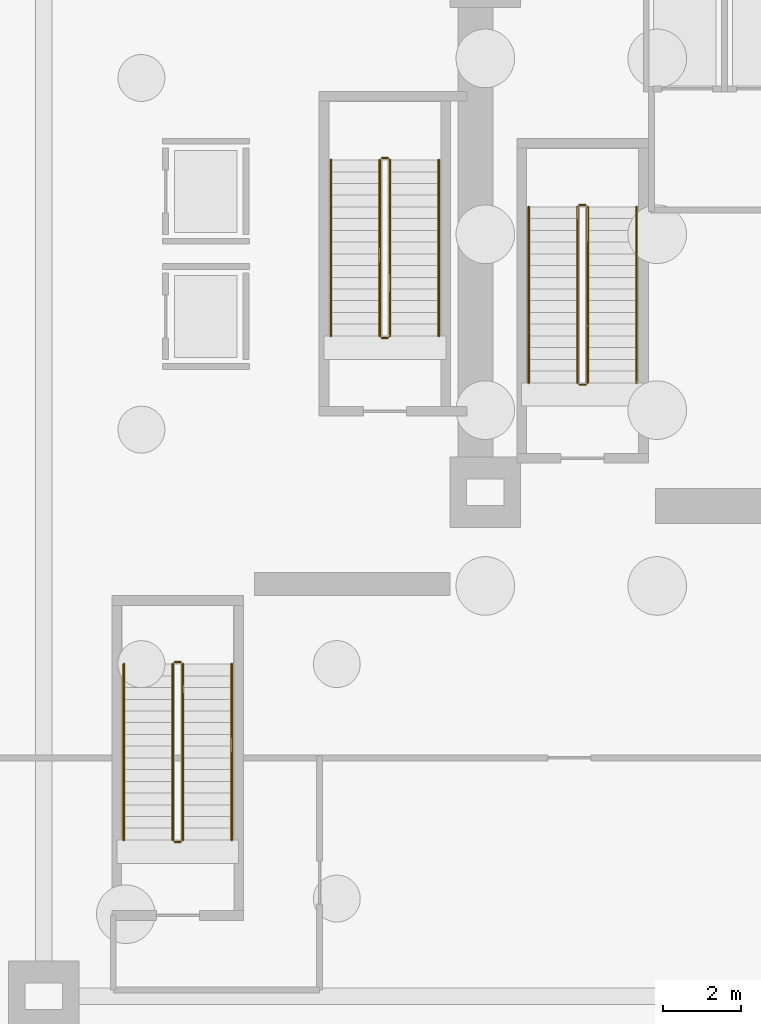
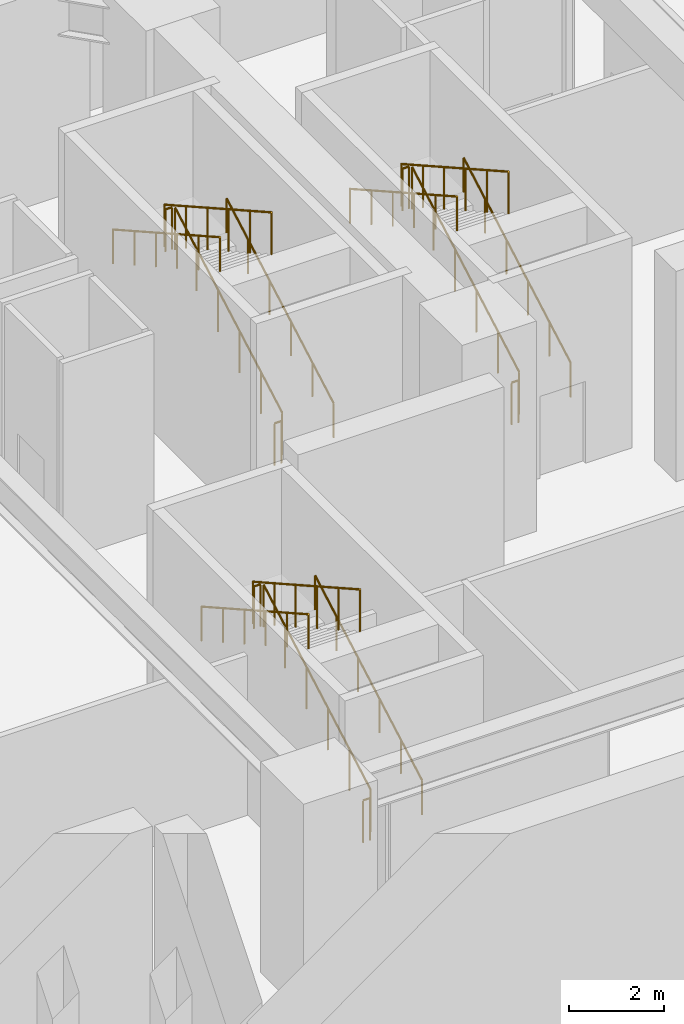
# One storey, part 7 of 9: 18 railings.
"""IFC4 building model written with IfcOpenShell, lengths in metres."""

import ifcopenshell
import ifcopenshell.guid

model = None  # the IFC model being written
_history = None  # IfcOwnerHistory: only IFC2X3 demands one
_inside = {}  # id of a spatial element -> (the spatial element, [elements in it])
_under = {}  # id of a project, library or spatial element -> (it, [spatial elements below it])
_declared = {}  # id of a project -> (the project, [libraries it declares])
_typed = {}  # id of a type object -> (the type object, [elements of that type])
_made_of = {}  # id of a material, layer set ... -> (it, [elements and type objects made of it])


def new_model(schema):
    """Start an empty IFC model of exactly this schema.

    Asked for "IFC4X3", IfcOpenShell would pick the latest addendum, in which some entities
    have other attributes; the version numbers below select the first issue.
    IFC2X3 requires an IfcOwnerHistory on every rooted entity: one is made here for all.
    """
    global model, _history
    if schema == "IFC4X3":
        model = ifcopenshell.file(schema_version=(4, 3, 0, 0))
    else:
        model = ifcopenshell.file(schema=schema)
    _inside.clear()
    _under.clear()
    _declared.clear()
    _typed.clear()
    _made_of.clear()
    _history = None
    if model.schema == "IFC2X3":
        org = make("IfcOrganization", Name="unknown")
        user = make(
            "IfcPersonAndOrganization",
            ThePerson=make("IfcPerson", FamilyName="unknown"),
            TheOrganization=org,
        )
        app = make(
            "IfcApplication",
            ApplicationDeveloper=org,
            Version="unknown",
            ApplicationFullName="unknown",
            ApplicationIdentifier="unknown",
        )
        _history = make(
            "IfcOwnerHistory",
            OwningUser=user,
            OwningApplication=app,
            ChangeAction="ADDED",
            CreationDate=0,
        )
    return model


def make(cls, **values):
    """One entity of the class cls with the attributes given. An attribute that is None is left unset."""
    return model.create_entity(
        cls, **{name: value for name, value in values.items() if value is not None}
    )


def rooted(cls, **values):
    """An entity with a GlobalId (a new one), such as an element, a storey or a relation."""
    return make(cls, GlobalId=ifcopenshell.guid.new(), OwnerHistory=_history, **values)


def si_unit(unit_type, name, prefix=None):
    """IfcSIUnit, for example si_unit("LENGTHUNIT", "METRE", prefix="MILLI")."""
    return make("IfcSIUnit", UnitType=unit_type, Prefix=prefix, Name=name)


def assignment(units):
    """IfcUnitAssignment: the units of a project."""
    return None if units is None else make("IfcUnitAssignment", Units=units)


def point(xyz):
    """IfcCartesianPoint."""
    return None if xyz is None else make("IfcCartesianPoint", Coordinates=xyz)


def direction(xyz):
    """IfcDirection."""
    return None if xyz is None else make("IfcDirection", DirectionRatios=xyz)


def frame(location, z_axis=None, x_axis=None):
    """IfcAxis2Placement3D, a coordinate frame: its origin and axes. An axis left out is left unset."""
    return make(
        "IfcAxis2Placement3D",
        Location=point(location),
        Axis=direction(z_axis),
        RefDirection=direction(x_axis),
    )


def frame_2d(location, x_axis=None):
    """IfcAxis2Placement2D, a coordinate frame in the plane: its origin and x axis."""
    return make(
        "IfcAxis2Placement2D", Location=point(location), RefDirection=direction(x_axis)
    )


def origin():
    """The frame at (0, 0, 0) with its axes left unset."""
    return frame((0.0, 0.0, 0.0))


def origin_2d():
    """The frame at (0, 0) in the plane with its x axis left unset."""
    return frame_2d((0.0, 0.0))


def place(relative_to, where):
    """IfcLocalPlacement: puts the frame where relative to a parent placement (None: the world)."""
    return make(
        "IfcLocalPlacement", PlacementRelTo=relative_to, RelativePlacement=where
    )


def context(
    kind, dimensions, precision=None, world=None, true_north=None, identifier=None
):
    """IfcGeometricRepresentationContext, for example the 3D "Model" context."""
    return make(
        "IfcGeometricRepresentationContext",
        ContextIdentifier=identifier,
        ContextType=kind,
        CoordinateSpaceDimension=dimensions,
        Precision=precision,
        WorldCoordinateSystem=world,
        TrueNorth=true_north,
    )


def subcontext(parent, identifier, kind, view, scale=None):
    """IfcGeometricRepresentationSubContext, for example "Body" below "Model"."""
    return make(
        "IfcGeometricRepresentationSubContext",
        ContextIdentifier=identifier,
        ContextType=kind,
        ParentContext=parent,
        TargetScale=scale,
        TargetView=view,
    )


def project(units=None, contexts=None):
    """IfcProject with its units and contexts."""
    return rooted(
        "IfcProject",
        Name="project",
        RepresentationContexts=contexts,
        UnitsInContext=assignment(units),
    )


def spatial(cls, under=None, at=None, **own):
    """A site, building, storey or space (cls), placed at a placement, below another one or the project."""
    s = rooted(cls, ObjectPlacement=at, **own)
    if under is not None:
        _under.setdefault(under.id(), (under, []))[1].append(s)
    return s


def profile(cls, at=None, kind="AREA", **sizes):
    """A parametric profile (cls). Its sizes go by their IFC names, for example OverallWidth=200.0."""
    return make(cls, ProfileType=kind, Position=at, **sizes)


def circle(**sizes):
    """IfcCircleProfileDef."""
    return profile("IfcCircleProfileDef", **sizes)


def extrude(swept, where, along, depth):
    """IfcExtrudedAreaSolid: the profile swept, set in the frame where, extruded along a direction by depth."""
    return make(
        "IfcExtrudedAreaSolid",
        SweptArea=swept,
        Position=where,
        ExtrudedDirection=direction(along),
        Depth=depth,
    )


def shape(context_of_items, identifier, shape_type, items):
    """IfcShapeRepresentation: the items that make up one representation, for example the "Body"."""
    return make(
        "IfcShapeRepresentation",
        ContextOfItems=context_of_items,
        RepresentationIdentifier=identifier,
        RepresentationType=shape_type,
        Items=items,
    )


def material(Name=None, Category=None):
    """IfcMaterial."""
    return make("IfcMaterial", Name=Name, Category=Category)


def made_of(thing, what):
    """Note that an element or type object is made of a material, layer set ...; save() writes the relation."""
    if what is not None:
        _made_of.setdefault(what.id(), (what, []))[1].append(thing)
    return thing


def type_object(cls, material=None, **own):
    """A type object (cls), such as IfcWallType, which elements share."""
    return made_of(rooted(cls, **own), material)


def element(
    cls,
    number,
    at=None,
    inside=None,
    cuts=None,
    type_object=None,
    material=None,
    context=None,
    identifier="Body",
    shape_type=None,
    held_by="IfcProductDefinitionShape",
    body=None,
    shapes=None,
    **own,
):
    """One element of the class cls, such as IfcWall. Its Tag is "e" and its number.

    at: its placement. inside: the storey or other place that contains it. cuts: it is an
    opening in that element (IfcRelVoidsElement). A single representation is given by context,
    identifier, shape_type and body (its items); several are given by shapes. held_by: the class
    of the entity that holds the representations. save() writes the other relations.
    """
    e = rooted(cls, Tag="e%d" % number, ObjectPlacement=at, **own)
    if body is not None:
        shapes = [shape(context, identifier, shape_type, body)]
    if shapes is not None:
        e.Representation = make(held_by, Representations=shapes)
    if inside is not None:
        _inside.setdefault(inside.id(), (inside, []))[1].append(e)
    if cuts is not None:
        rooted(
            "IfcRelVoidsElement", RelatingBuildingElement=cuts, RelatedOpeningElement=e
        )
    if type_object is not None:
        _typed.setdefault(type_object.id(), (type_object, []))[1].append(e)
    return made_of(e, material)


def aggregate(whole, parts):
    """IfcRelAggregates: a whole, such as a stair, and the parts it consists of."""
    return rooted("IfcRelAggregates", RelatingObject=whole, RelatedObjects=parts)


def save(model, path):
    """Write the relations noted so far, then the file.

    IfcRelAggregates (storeys below a building ...), IfcRelContainedInSpatialStructure (elements
    in a storey), IfcRelDefinesByType, IfcRelAssociatesMaterial and IfcRelDeclares: one each for
    every whole, place, type object, material and project.
    """
    for whole, parts in _under.values():
        aggregate(whole, parts)
    for where, things in _inside.values():
        rooted(
            "IfcRelContainedInSpatialStructure",
            RelatedElements=things,
            RelatingStructure=where,
        )
    for kind, things in _typed.values():
        rooted("IfcRelDefinesByType", RelatedObjects=things, RelatingType=kind)
    for what, things in _made_of.values():
        rooted("IfcRelAssociatesMaterial", RelatedObjects=things, RelatingMaterial=what)
    for by, libraries in _declared.values():
        rooted("IfcRelDeclares", RelatingContext=by, RelatedDefinitions=libraries)
    model.write(path)


model = new_model("IFC4")

# Units and contexts
model_context = context("Model", 3, precision=1e-05, world=origin(), true_north=direction((0.0, 1.0)))
body_context = subcontext(model_context, "Body", "Model", "MODEL_VIEW")
ifc_project = project(units=[si_unit("LENGTHUNIT", "METRE"), si_unit("AREAUNIT", "SQUARE_METRE"), si_unit("VOLUMEUNIT", "CUBIC_METRE"), si_unit("PLANEANGLEUNIT", "RADIAN"), si_unit("MASSUNIT", "GRAM", prefix="KILO")], contexts=[model_context])

# Site, building, storey
site_placement = place(None, origin())
site = spatial("IfcSite", under=ifc_project, at=site_placement, CompositionType="ELEMENT")
building_placement = place(site_placement, origin())
building = spatial("IfcBuilding", under=site, at=building_placement, Name="Solvane Sanctuary Tower", CompositionType="ELEMENT")
storey_placement = place(building_placement, frame((0.0, 0.0, -10.800048828125)))
storey = spatial("IfcBuildingStorey", under=building, at=storey_placement, Name="B02", CompositionType="ELEMENT", Elevation=-10.800048828125)

# Railings
ifc_material = material(Name="Architectural Stainless Steel 316", Category="steel")
railing_type_1 = type_object("IfcRailingType", Name="Railing GR-BALC-1150", PredefinedType="BALUSTRADE", material=ifc_material)
railing_1_placement = place(storey_placement, frame((17.919921875, 19.699951171875, 0.168701171875)))
element("IfcRailing", 1, at=railing_1_placement, inside=storey, type_object=railing_type_1, Name="B02 ST-1 stair guard 1", PredefinedType="BALUSTRADE", context=body_context, shape_type="SweptSolid", body=[
    extrude(circle(Radius=0.02392578125, at=origin_2d()), frame((0.0, 0.0, 1.076171875), z_axis=(0.0, 0.871575537125, 0.490261239633), x_axis=(-1.0, 0.0, 0.0)), (0.0, 0.0, 1.0), 5.1630859375),
    extrude(circle(Radius=0.02099609375, at=origin_2d()), origin(), (0.0, 0.0, 1.0), 1.052001953125),
    extrude(circle(Radius=0.02099609375, at=origin_2d()), frame((0.0, 0.89990234375, 0.50634765625)), (0.0, 0.0, 1.0), 1.052001953125),
    extrude(circle(Radius=0.02099609375, at=origin_2d()), frame((0.0, 1.800048828125, 1.012451171875)), (0.0, 0.0, 1.0), 1.052001953125),
    extrude(circle(Radius=0.02099609375, at=origin_2d()), frame((0.0, 2.699951171875, 1.518798828125)), (0.0, 0.0, 1.0), 1.052001953125),
    extrude(circle(Radius=0.02099609375, at=origin_2d()), frame((0.0, 3.60009765625, 2.02490234375)), (0.0, 0.0, 1.0), 1.052001953125),
    extrude(circle(Radius=0.02099609375, at=origin_2d()), frame((0.0, 4.5, 2.53125)), (0.0, 0.0, 1.0), 1.052001953125),
])
railing_2_placement = place(storey_placement, frame((17.8701171875, 24.25, 2.699951171875)))
element("IfcRailing", 2, at=railing_2_placement, inside=storey, type_object=railing_type_1, Name="B02 ST-1 stair guard 2", PredefinedType="BALUSTRADE", context=body_context, shape_type="SweptSolid", body=[
    extrude(circle(Radius=0.02392578125, at=origin_2d()), frame((0.0, 0.0, 1.076171875), z_axis=(-1.0, 0.0, 0.0), x_axis=(0.0, -1.0, 0.0)), (0.0, 0.0, 1.0), 0.16015625),
    extrude(circle(Radius=0.02099609375, at=origin_2d()), origin(), (0.0, 0.0, 1.0), 1.052001953125),
    extrude(circle(Radius=0.02099609375, at=origin_2d()), frame((-0.16015625, 0.0, 0.0)), (0.0, 0.0, 1.0), 1.052001953125),
])
railing_3_placement = place(storey_placement, frame((17.659912109375, 24.199951171875, 2.868896484375)))
element("IfcRailing", 3, at=railing_3_placement, inside=storey, type_object=railing_type_1, Name="B02 ST-1 stair guard 3", PredefinedType="BALUSTRADE", context=body_context, shape_type="SweptSolid", body=[
    extrude(circle(Radius=0.02392578125, at=origin_2d()), frame((0.0, 0.0, 1.076171875), z_axis=(0.0, -0.871575537125, 0.490261239633), x_axis=(1.0, 0.0, 0.0)), (0.0, 0.0, 1.0), 5.1630859375),
    extrude(circle(Radius=0.02099609375, at=origin_2d()), origin(), (0.0, 0.0, 1.0), 1.052001953125),
    extrude(circle(Radius=0.02099609375, at=origin_2d()), frame((0.0, -0.89990234375, 0.50634765625)), (0.0, 0.0, 1.0), 1.052001953125),
    extrude(circle(Radius=0.02099609375, at=origin_2d()), frame((0.0, -1.800048828125, 1.012451171875)), (0.0, 0.0, 1.0), 1.052001953125),
    extrude(circle(Radius=0.02099609375, at=origin_2d()), frame((0.0, -2.699951171875, 1.518798828125)), (0.0, 0.0, 1.0), 1.052001953125),
    extrude(circle(Radius=0.02099609375, at=origin_2d()), frame((0.0, -3.60009765625, 2.02490234375)), (0.0, 0.0, 1.0), 1.052001953125),
    extrude(circle(Radius=0.02099609375, at=origin_2d()), frame((0.0, -4.5, 2.53125)), (0.0, 0.0, 1.0), 1.052001953125),
])
railing_4_placement = place(storey_placement, frame((17.8701171875, 19.64990234375, 0.0)))
element("IfcRailing", 4, at=railing_4_placement, inside=storey, type_object=railing_type_1, Name="B02 ST-1 stair guard 4", PredefinedType="BALUSTRADE", context=body_context, shape_type="SweptSolid", body=[
    extrude(circle(Radius=0.02392578125, at=origin_2d()), frame((0.0, 0.0, 1.076171875), z_axis=(-1.0, 0.0, 0.0), x_axis=(0.0, -1.0, 0.0)), (0.0, 0.0, 1.0), 0.16015625),
    extrude(circle(Radius=0.02099609375, at=origin_2d()), origin(), (0.0, 0.0, 1.0), 1.052001953125),
    extrude(circle(Radius=0.02099609375, at=origin_2d()), frame((-0.16015625, 0.0, 0.0)), (0.0, 0.0, 1.0), 1.052001953125),
])
railing_5_placement = place(storey_placement, frame((12.860107421875, 20.89990234375, 0.168701171875)))
element("IfcRailing", 5, at=railing_5_placement, inside=storey, type_object=railing_type_1, Name="B02 ST-3 stair guard 1", PredefinedType="BALUSTRADE", context=body_context, shape_type="SweptSolid", body=[
    extrude(circle(Radius=0.02392578125, at=origin_2d()), frame((0.0, 0.0, 1.076171875), z_axis=(0.0, 0.871575537125, 0.490261239633), x_axis=(-1.0, 0.0, 0.0)), (0.0, 0.0, 1.0), 5.1630859375),
    extrude(circle(Radius=0.02099609375, at=origin_2d()), origin(), (0.0, 0.0, 1.0), 1.052001953125),
    extrude(circle(Radius=0.02099609375, at=origin_2d()), frame((0.0, 0.89990234375, 0.50634765625)), (0.0, 0.0, 1.0), 1.052001953125),
    extrude(circle(Radius=0.02099609375, at=origin_2d()), frame((0.0, 1.800048828125, 1.012451171875)), (0.0, 0.0, 1.0), 1.052001953125),
    extrude(circle(Radius=0.02099609375, at=origin_2d()), frame((0.0, 2.699951171875, 1.518798828125)), (0.0, 0.0, 1.0), 1.052001953125),
    extrude(circle(Radius=0.02099609375, at=origin_2d()), frame((0.0, 3.60009765625, 2.02490234375)), (0.0, 0.0, 1.0), 1.052001953125),
    extrude(circle(Radius=0.02099609375, at=origin_2d()), frame((0.0, 4.5, 2.53125)), (0.0, 0.0, 1.0), 1.052001953125),
])
railing_6_placement = place(storey_placement, frame((12.81005859375, 25.449951171875, 2.699951171875)))
element("IfcRailing", 6, at=railing_6_placement, inside=storey, type_object=railing_type_1, Name="B02 ST-3 stair guard 2", PredefinedType="BALUSTRADE", context=body_context, shape_type="SweptSolid", body=[
    extrude(circle(Radius=0.02392578125, at=origin_2d()), frame((0.0, 0.0, 1.076171875), z_axis=(-1.0, 0.0, 0.0), x_axis=(0.0, -1.0, 0.0)), (0.0, 0.0, 1.0), 0.16015625),
    extrude(circle(Radius=0.02099609375, at=origin_2d()), origin(), (0.0, 0.0, 1.0), 1.052001953125),
    extrude(circle(Radius=0.02099609375, at=origin_2d()), frame((-0.16015625, 0.0, 0.0)), (0.0, 0.0, 1.0), 1.052001953125),
])
railing_7_placement = place(storey_placement, frame((12.60009765625, 25.39990234375, 2.868896484375)))
element("IfcRailing", 7, at=railing_7_placement, inside=storey, type_object=railing_type_1, Name="B02 ST-3 stair guard 3", PredefinedType="BALUSTRADE", context=body_context, shape_type="SweptSolid", body=[
    extrude(circle(Radius=0.02392578125, at=origin_2d()), frame((0.0, 0.0, 1.076171875), z_axis=(0.0, -0.871575537125, 0.490261239633), x_axis=(1.0, 0.0, 0.0)), (0.0, 0.0, 1.0), 5.1630859375),
    extrude(circle(Radius=0.02099609375, at=origin_2d()), origin(), (0.0, 0.0, 1.0), 1.052001953125),
    extrude(circle(Radius=0.02099609375, at=origin_2d()), frame((0.0, -0.89990234375, 0.50634765625)), (0.0, 0.0, 1.0), 1.052001953125),
    extrude(circle(Radius=0.02099609375, at=origin_2d()), frame((0.0, -1.800048828125, 1.012451171875)), (0.0, 0.0, 1.0), 1.052001953125),
    extrude(circle(Radius=0.02099609375, at=origin_2d()), frame((0.0, -2.699951171875, 1.518798828125)), (0.0, 0.0, 1.0), 1.052001953125),
    extrude(circle(Radius=0.02099609375, at=origin_2d()), frame((0.0, -3.60009765625, 2.02490234375)), (0.0, 0.0, 1.0), 1.052001953125),
    extrude(circle(Radius=0.02099609375, at=origin_2d()), frame((0.0, -4.5, 2.53125)), (0.0, 0.0, 1.0), 1.052001953125),
])
railing_8_placement = place(storey_placement, frame((12.81005859375, 20.85009765625, 0.0)))
element("IfcRailing", 8, at=railing_8_placement, inside=storey, type_object=railing_type_1, Name="B02 ST-3 stair guard 4", PredefinedType="BALUSTRADE", context=body_context, shape_type="SweptSolid", body=[
    extrude(circle(Radius=0.02392578125, at=origin_2d()), frame((0.0, 0.0, 1.076171875), z_axis=(-1.0, 0.0, 0.0), x_axis=(0.0, -1.0, 0.0)), (0.0, 0.0, 1.0), 0.16015625),
    extrude(circle(Radius=0.02099609375, at=origin_2d()), origin(), (0.0, 0.0, 1.0), 1.052001953125),
    extrude(circle(Radius=0.02099609375, at=origin_2d()), frame((-0.16015625, 0.0, 0.0)), (0.0, 0.0, 1.0), 1.052001953125),
])
railing_9_placement = place(storey_placement, frame((7.56005859375, 8.0, 0.168701171875)))
element("IfcRailing", 9, at=railing_9_placement, inside=storey, type_object=railing_type_1, Name="B02 ST-4 stair guard 1", PredefinedType="BALUSTRADE", context=body_context, shape_type="SweptSolid", body=[
    extrude(circle(Radius=0.02392578125, at=origin_2d()), frame((0.0, 0.0, 1.076171875), z_axis=(0.0, 0.871575537125, 0.490261239633), x_axis=(-1.0, 0.0, 0.0)), (0.0, 0.0, 1.0), 5.1630859375),
    extrude(circle(Radius=0.02099609375, at=origin_2d()), origin(), (0.0, 0.0, 1.0), 1.052001953125),
    extrude(circle(Radius=0.02099609375, at=origin_2d()), frame((0.0, 0.89990234375, 0.50634765625)), (0.0, 0.0, 1.0), 1.052001953125),
    extrude(circle(Radius=0.02099609375, at=origin_2d()), frame((0.0, 1.800048828125, 1.012451171875)), (0.0, 0.0, 1.0), 1.052001953125),
    extrude(circle(Radius=0.02099609375, at=origin_2d()), frame((0.0, 2.699951171875, 1.518798828125)), (0.0, 0.0, 1.0), 1.052001953125),
    extrude(circle(Radius=0.02099609375, at=origin_2d()), frame((0.0, 3.60009765625, 2.02490234375)), (0.0, 0.0, 1.0), 1.052001953125),
    extrude(circle(Radius=0.02099609375, at=origin_2d()), frame((0.0, 4.5, 2.53125)), (0.0, 0.0, 1.0), 1.052001953125),
])
railing_10_placement = place(storey_placement, frame((7.510009765625, 12.550048828125, 2.699951171875)))
element("IfcRailing", 10, at=railing_10_placement, inside=storey, type_object=railing_type_1, Name="B02 ST-4 stair guard 2", PredefinedType="BALUSTRADE", context=body_context, shape_type="SweptSolid", body=[
    extrude(circle(Radius=0.02392578125, at=origin_2d()), frame((0.0, 0.0, 1.076171875), z_axis=(-1.0, 0.0, 0.0), x_axis=(0.0, -1.0, 0.0)), (0.0, 0.0, 1.0), 0.159912109375),
    extrude(circle(Radius=0.02099609375, at=origin_2d()), origin(), (0.0, 0.0, 1.0), 1.052001953125),
    extrude(circle(Radius=0.02099609375, at=origin_2d()), frame((-0.159912109375, 0.0, 0.0)), (0.0, 0.0, 1.0), 1.052001953125),
])
railing_11_placement = place(storey_placement, frame((7.300048828125, 12.5, 2.868896484375)))
element("IfcRailing", 11, at=railing_11_placement, inside=storey, type_object=railing_type_1, Name="B02 ST-4 stair guard 3", PredefinedType="BALUSTRADE", context=body_context, shape_type="SweptSolid", body=[
    extrude(circle(Radius=0.02392578125, at=origin_2d()), frame((0.0, 0.0, 1.076171875), z_axis=(0.0, -0.871575537125, 0.490261239633), x_axis=(1.0, 0.0, 0.0)), (0.0, 0.0, 1.0), 5.1630859375),
    extrude(circle(Radius=0.02099609375, at=origin_2d()), origin(), (0.0, 0.0, 1.0), 1.052001953125),
    extrude(circle(Radius=0.02099609375, at=origin_2d()), frame((0.0, -0.89990234375, 0.50634765625)), (0.0, 0.0, 1.0), 1.052001953125),
    extrude(circle(Radius=0.02099609375, at=origin_2d()), frame((0.0, -1.800048828125, 1.012451171875)), (0.0, 0.0, 1.0), 1.052001953125),
    extrude(circle(Radius=0.02099609375, at=origin_2d()), frame((0.0, -2.699951171875, 1.518798828125)), (0.0, 0.0, 1.0), 1.052001953125),
    extrude(circle(Radius=0.02099609375, at=origin_2d()), frame((0.0, -3.60009765625, 2.02490234375)), (0.0, 0.0, 1.0), 1.052001953125),
    extrude(circle(Radius=0.02099609375, at=origin_2d()), frame((0.0, -4.5, 2.53125)), (0.0, 0.0, 1.0), 1.052001953125),
])
railing_12_placement = place(storey_placement, frame((7.510009765625, 7.949951171875, 0.0)))
element("IfcRailing", 12, at=railing_12_placement, inside=storey, type_object=railing_type_1, Name="B02 ST-4 stair guard 4", PredefinedType="BALUSTRADE", context=body_context, shape_type="SweptSolid", body=[
    extrude(circle(Radius=0.02392578125, at=origin_2d()), frame((0.0, 0.0, 1.076171875), z_axis=(-1.0, 0.0, 0.0), x_axis=(0.0, -1.0, 0.0)), (0.0, 0.0, 1.0), 0.159912109375),
    extrude(circle(Radius=0.02099609375, at=origin_2d()), origin(), (0.0, 0.0, 1.0), 1.052001953125),
    extrude(circle(Radius=0.02099609375, at=origin_2d()), frame((-0.159912109375, 0.0, 0.0)), (0.0, 0.0, 1.0), 1.052001953125),
])
railing_type_2 = type_object("IfcRailingType", Name="Railing HR-STAIR-920", PredefinedType="HANDRAIL", material=ifc_material)
railing_13_placement = place(storey_placement, frame((19.169921875, 19.699951171875, 0.168701171875)))
element("IfcRailing", 13, at=railing_13_placement, inside=storey, type_object=railing_type_2, Name="B02 ST-1 stair handrail 1", PredefinedType="HANDRAIL", context=body_context, shape_type="SweptSolid", body=[
    extrude(circle(Radius=0.02392578125, at=origin_2d()), frame((0.0, 0.0, 0.8759765625), z_axis=(0.0, 0.871575537125, 0.490261239633), x_axis=(-1.0, 0.0, 0.0)), (0.0, 0.0, 1.0), 5.1630859375),
    extrude(circle(Radius=0.02099609375, at=origin_2d()), origin(), (0.0, 0.0, 1.0), 0.851806640625),
    extrude(circle(Radius=0.02099609375, at=origin_2d()), frame((0.0, 0.89990234375, 0.50634765625)), (0.0, 0.0, 1.0), 0.851806640625),
    extrude(circle(Radius=0.02099609375, at=origin_2d()), frame((0.0, 1.800048828125, 1.012451171875)), (0.0, 0.0, 1.0), 0.851806640625),
    extrude(circle(Radius=0.02099609375, at=origin_2d()), frame((0.0, 2.699951171875, 1.518798828125)), (0.0, 0.0, 1.0), 0.851806640625),
    extrude(circle(Radius=0.02099609375, at=origin_2d()), frame((0.0, 3.60009765625, 2.02490234375)), (0.0, 0.0, 1.0), 0.851806640625),
    extrude(circle(Radius=0.02099609375, at=origin_2d()), frame((0.0, 4.5, 2.53125)), (0.0, 0.0, 1.0), 0.851806640625),
])
railing_14_placement = place(storey_placement, frame((16.409912109375, 24.199951171875, 2.868896484375)))
element("IfcRailing", 14, at=railing_14_placement, inside=storey, type_object=railing_type_2, Name="B02 ST-1 stair handrail 2", PredefinedType="HANDRAIL", context=body_context, shape_type="SweptSolid", body=[
    extrude(circle(Radius=0.02392578125, at=origin_2d()), frame((0.0, 0.0, 0.8759765625), z_axis=(0.0, -0.871575537125, 0.490261239633), x_axis=(1.0, 0.0, 0.0)), (0.0, 0.0, 1.0), 5.1630859375),
    extrude(circle(Radius=0.02099609375, at=origin_2d()), origin(), (0.0, 0.0, 1.0), 0.851806640625),
    extrude(circle(Radius=0.02099609375, at=origin_2d()), frame((0.0, -0.89990234375, 0.50634765625)), (0.0, 0.0, 1.0), 0.851806640625),
    extrude(circle(Radius=0.02099609375, at=origin_2d()), frame((0.0, -1.800048828125, 1.012451171875)), (0.0, 0.0, 1.0), 0.851806640625),
    extrude(circle(Radius=0.02099609375, at=origin_2d()), frame((0.0, -2.699951171875, 1.518798828125)), (0.0, 0.0, 1.0), 0.851806640625),
    extrude(circle(Radius=0.02099609375, at=origin_2d()), frame((0.0, -3.60009765625, 2.02490234375)), (0.0, 0.0, 1.0), 0.851806640625),
    extrude(circle(Radius=0.02099609375, at=origin_2d()), frame((0.0, -4.5, 2.53125)), (0.0, 0.0, 1.0), 0.851806640625),
])
railing_15_placement = place(storey_placement, frame((14.110107421875, 20.89990234375, 0.168701171875)))
element("IfcRailing", 15, at=railing_15_placement, inside=storey, type_object=railing_type_2, Name="B02 ST-3 stair handrail 1", PredefinedType="HANDRAIL", context=body_context, shape_type="SweptSolid", body=[
    extrude(circle(Radius=0.02392578125, at=origin_2d()), frame((0.0, 0.0, 0.8759765625), z_axis=(0.0, 0.871575537125, 0.490261239633), x_axis=(-1.0, 0.0, 0.0)), (0.0, 0.0, 1.0), 5.1630859375),
    extrude(circle(Radius=0.02099609375, at=origin_2d()), origin(), (0.0, 0.0, 1.0), 0.851806640625),
    extrude(circle(Radius=0.02099609375, at=origin_2d()), frame((0.0, 0.89990234375, 0.50634765625)), (0.0, 0.0, 1.0), 0.851806640625),
    extrude(circle(Radius=0.02099609375, at=origin_2d()), frame((0.0, 1.800048828125, 1.012451171875)), (0.0, 0.0, 1.0), 0.851806640625),
    extrude(circle(Radius=0.02099609375, at=origin_2d()), frame((0.0, 2.699951171875, 1.518798828125)), (0.0, 0.0, 1.0), 0.851806640625),
    extrude(circle(Radius=0.02099609375, at=origin_2d()), frame((0.0, 3.60009765625, 2.02490234375)), (0.0, 0.0, 1.0), 0.851806640625),
    extrude(circle(Radius=0.02099609375, at=origin_2d()), frame((0.0, 4.5, 2.53125)), (0.0, 0.0, 1.0), 0.851806640625),
])
railing_16_placement = place(storey_placement, frame((11.35009765625, 25.39990234375, 2.868896484375)))
element("IfcRailing", 16, at=railing_16_placement, inside=storey, type_object=railing_type_2, Name="B02 ST-3 stair handrail 2", PredefinedType="HANDRAIL", context=body_context, shape_type="SweptSolid", body=[
    extrude(circle(Radius=0.02392578125, at=origin_2d()), frame((0.0, 0.0, 0.8759765625), z_axis=(0.0, -0.871575537125, 0.490261239633), x_axis=(1.0, 0.0, 0.0)), (0.0, 0.0, 1.0), 5.1630859375),
    extrude(circle(Radius=0.02099609375, at=origin_2d()), origin(), (0.0, 0.0, 1.0), 0.851806640625),
    extrude(circle(Radius=0.02099609375, at=origin_2d()), frame((0.0, -0.89990234375, 0.50634765625)), (0.0, 0.0, 1.0), 0.851806640625),
    extrude(circle(Radius=0.02099609375, at=origin_2d()), frame((0.0, -1.800048828125, 1.012451171875)), (0.0, 0.0, 1.0), 0.851806640625),
    extrude(circle(Radius=0.02099609375, at=origin_2d()), frame((0.0, -2.699951171875, 1.518798828125)), (0.0, 0.0, 1.0), 0.851806640625),
    extrude(circle(Radius=0.02099609375, at=origin_2d()), frame((0.0, -3.60009765625, 2.02490234375)), (0.0, 0.0, 1.0), 0.851806640625),
    extrude(circle(Radius=0.02099609375, at=origin_2d()), frame((0.0, -4.5, 2.53125)), (0.0, 0.0, 1.0), 0.851806640625),
])
railing_17_placement = place(storey_placement, frame((8.81005859375, 8.0, 0.168701171875)))
element("IfcRailing", 17, at=railing_17_placement, inside=storey, type_object=railing_type_2, Name="B02 ST-4 stair handrail 1", PredefinedType="HANDRAIL", context=body_context, shape_type="SweptSolid", body=[
    extrude(circle(Radius=0.02392578125, at=origin_2d()), frame((0.0, 0.0, 0.8759765625), z_axis=(0.0, 0.871575537125, 0.490261239633), x_axis=(-1.0, 0.0, 0.0)), (0.0, 0.0, 1.0), 5.1630859375),
    extrude(circle(Radius=0.02099609375, at=origin_2d()), origin(), (0.0, 0.0, 1.0), 0.851806640625),
    extrude(circle(Radius=0.02099609375, at=origin_2d()), frame((0.0, 0.89990234375, 0.50634765625)), (0.0, 0.0, 1.0), 0.851806640625),
    extrude(circle(Radius=0.02099609375, at=origin_2d()), frame((0.0, 1.800048828125, 1.012451171875)), (0.0, 0.0, 1.0), 0.851806640625),
    extrude(circle(Radius=0.02099609375, at=origin_2d()), frame((0.0, 2.699951171875, 1.518798828125)), (0.0, 0.0, 1.0), 0.851806640625),
    extrude(circle(Radius=0.02099609375, at=origin_2d()), frame((0.0, 3.60009765625, 2.02490234375)), (0.0, 0.0, 1.0), 0.851806640625),
    extrude(circle(Radius=0.02099609375, at=origin_2d()), frame((0.0, 4.5, 2.53125)), (0.0, 0.0, 1.0), 0.851806640625),
])
railing_18_placement = place(storey_placement, frame((6.050048828125, 12.5, 2.868896484375)))
element("IfcRailing", 18, at=railing_18_placement, inside=storey, type_object=railing_type_2, Name="B02 ST-4 stair handrail 2", PredefinedType="HANDRAIL", context=body_context, shape_type="SweptSolid", body=[
    extrude(circle(Radius=0.02392578125, at=origin_2d()), frame((0.0, 0.0, 0.8759765625), z_axis=(0.0, -0.871575537125, 0.490261239633), x_axis=(1.0, 0.0, 0.0)), (0.0, 0.0, 1.0), 5.1630859375),
    extrude(circle(Radius=0.02099609375, at=origin_2d()), origin(), (0.0, 0.0, 1.0), 0.851806640625),
    extrude(circle(Radius=0.02099609375, at=origin_2d()), frame((0.0, -0.89990234375, 0.50634765625)), (0.0, 0.0, 1.0), 0.851806640625),
    extrude(circle(Radius=0.02099609375, at=origin_2d()), frame((0.0, -1.800048828125, 1.012451171875)), (0.0, 0.0, 1.0), 0.851806640625),
    extrude(circle(Radius=0.02099609375, at=origin_2d()), frame((0.0, -2.699951171875, 1.518798828125)), (0.0, 0.0, 1.0), 0.851806640625),
    extrude(circle(Radius=0.02099609375, at=origin_2d()), frame((0.0, -3.60009765625, 2.02490234375)), (0.0, 0.0, 1.0), 0.851806640625),
    extrude(circle(Radius=0.02099609375, at=origin_2d()), frame((0.0, -4.5, 2.53125)), (0.0, 0.0, 1.0), 0.851806640625),
])

save(model, "model.ifc")
